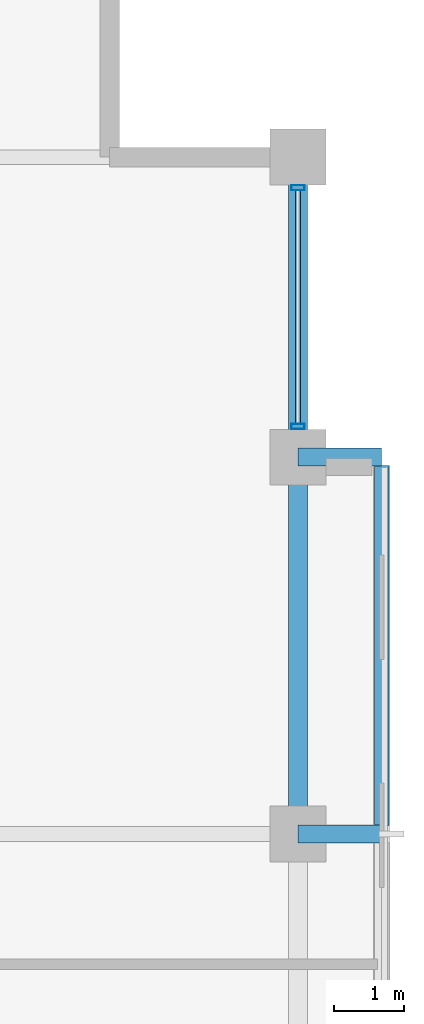
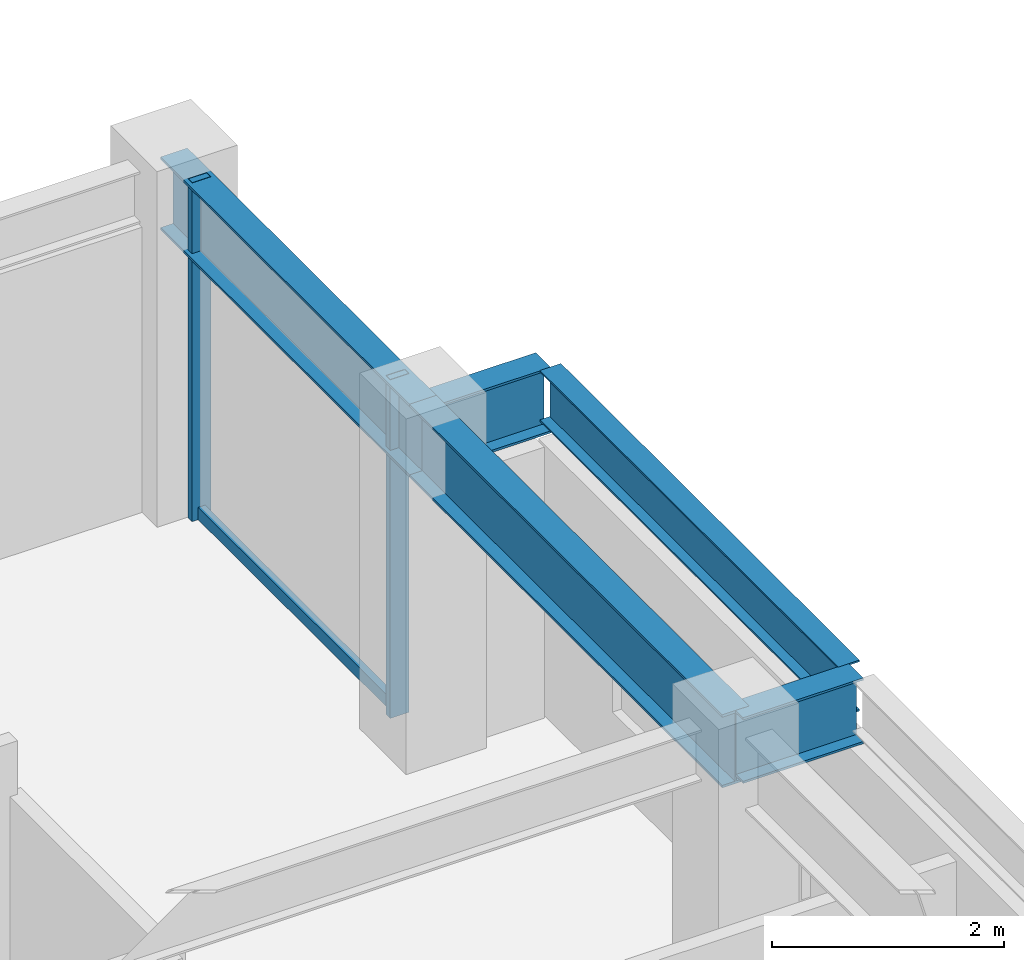
# One storey, part 22 of 30: 5 beams, 3 members, 1 element without a shape of its own.
"""IFC4 building model written with IfcOpenShell, lengths in metres."""

from ifc_helpers import new_model, si_unit, direction, frame, origin, origin_2d, place, context, subcontext, project, spatial, hollow_rectangle, i_section, extrude, material, layer, layer_set, material_profile, profile_set, type_object, element, aggregate, save


model = new_model("IFC4")

# Units and contexts
model_context = context("Model", 3, precision=1e-05, world=origin(), true_north=direction((0.0, 1.0)))
body_context = subcontext(model_context, "Body", "Model", "MODEL_VIEW")
ifc_project = project(units=[si_unit("LENGTHUNIT", "METRE"), si_unit("AREAUNIT", "SQUARE_METRE"), si_unit("VOLUMEUNIT", "CUBIC_METRE"), si_unit("PLANEANGLEUNIT", "RADIAN"), si_unit("MASSUNIT", "GRAM", prefix="KILO")], contexts=[model_context])

# Site, building, storey
site_placement = place(None, origin())
site = spatial("IfcSite", under=ifc_project, at=site_placement, CompositionType="ELEMENT")
building_placement = place(site_placement, origin())
building = spatial("IfcBuilding", under=site, at=building_placement, Name="Surkhivell Harbour Commons", CompositionType="ELEMENT")
storey_placement = place(building_placement, frame((0.0, 0.0, 227.25)))
storey = spatial("IfcBuildingStorey", under=building, at=storey_placement, Name="L59", CompositionType="ELEMENT", Elevation=227.25)

# Beams
ifc_material_1 = material(Name="Steel S460", Category="steel")
ifc_material_profile_1 = material_profile(ifc_material_1, i_section(OverallWidth=0.256103515625, OverallDepth=0.693115234375, WebThickness=0.014404296875, FlangeThickness=0.023681640625, at=origin_2d()), Name="UB686x254x170")
ifc_profile_set_1 = profile_set([ifc_material_profile_1], Name="Steel S460")
beam_type_1 = type_object("IfcBeamType", Name="BM-CNT-686", PredefinedType="BEAM", material=ifc_profile_set_1)
for number, where, z_axis, x_axis, name in (
    (1, (21.60009765625, 10.800048828125, 3.223388671875), (1.0, 0.0, 0.0), (0.0, 1.0, 0.0), "L59 Box Cantilever Outrigger (21.6,10.8)"),
    (2, (21.60009765625, 16.199951171875, 3.223388671875), (1.0, 0.0, 0.0), (0.0, 1.0, 0.0), "L59 Box Cantilever Outrigger (21.6,16.2)"),
):
    element("IfcBeam", number, at=place(storey_placement, frame(where, z_axis=z_axis, x_axis=x_axis)), inside=storey, type_object=beam_type_1, Name=name, PredefinedType="BEAM", context=body_context, shape_type="SweptSolid", body=[
        extrude(i_section(OverallWidth=0.256103515625, OverallDepth=0.693115234375, WebThickness=0.014404296875, FlangeThickness=0.023681640625, at=origin_2d()), origin(), (0.0, 0.0, 1.0), 1.199951171875),
    ])
ifc_material_2 = material(Name="Steel S355", Category="steel")
ifc_material_profile_2 = material_profile(ifc_material_2, i_section(OverallWidth=0.2099609375, OverallDepth=0.537109375, WebThickness=0.0107421875, FlangeThickness=0.017333984375, at=origin_2d()), Name="UB533x210x101")
ifc_profile_set_2 = profile_set([ifc_material_profile_2], Name="Steel S355")
beam_type_2 = type_object("IfcBeamType", Name="BM-GRD-533B", PredefinedType="BEAM", material=ifc_profile_set_2)
beam_1_placement = place(storey_placement, frame((22.800048828125, 10.922119140625, 3.301513671875), z_axis=(0.0, 1.0, 0.0), x_axis=(-1.0, 0.0, 0.0)))
element("IfcBeam", 3, at=beam_1_placement, inside=storey, type_object=beam_type_2, Name="L59 Box Rim Spandrel (22.8,10.8)", PredefinedType="BEAM", context=body_context, shape_type="SweptSolid", body=[
    extrude(i_section(OverallWidth=0.2099609375, OverallDepth=0.537109375, WebThickness=0.0107421875, FlangeThickness=0.017333984375, at=origin_2d()), origin(), (0.0, 0.0, 1.0), 5.15576171875),
])
ifc_material_profile_3 = material_profile(ifc_material_2, i_section(OverallWidth=0.26806640625, OverallDepth=0.77001953125, WebThickness=0.015625, FlangeThickness=0.025390625, at=origin_2d()), Name="UB762x267x197")
ifc_profile_set_3 = profile_set([ifc_material_profile_3], Name="Steel S355")
beam_type_3 = type_object("IfcBeamType", Name="BM-SPN-762", PredefinedType="SPANDREL", material=ifc_profile_set_3)
beam_2_placement = place(storey_placement, frame((21.60009765625, 10.800048828125, 3.18505859375), z_axis=(0.0, 1.0, 0.0), x_axis=(-1.0, 0.0, 0.0)))
element("IfcBeam", 4, at=beam_2_placement, inside=storey, type_object=beam_type_3, Name="L59 Tube Spandrel (21.6,10.8)", PredefinedType="SPANDREL", context=body_context, shape_type="SweptSolid", body=[
    extrude(i_section(OverallWidth=0.26806640625, OverallDepth=0.77001953125, WebThickness=0.015625, FlangeThickness=0.025390625, at=origin_2d()), origin(), (0.0, 0.0, 1.0), 5.39990234375),
])
beam_3_placement = place(storey_placement, frame((21.60009765625, 16.199951171875, 3.18505859375), z_axis=(0.0, 1.0, 0.0), x_axis=(-1.0, 0.0, 0.0)))
element("IfcBeam", 5, at=beam_3_placement, inside=storey, type_object=beam_type_3, Name="L59 Tube Spandrel (21.6,16.2)", PredefinedType="SPANDREL", context=body_context, shape_type="SweptSolid", body=[
    extrude(i_section(OverallWidth=0.26806640625, OverallDepth=0.77001953125, WebThickness=0.015625, FlangeThickness=0.025390625, at=origin_2d()), origin(), (0.0, 0.0, 1.0), 4.300048828125),
])

# Curtain wall, members
ifc_material_3 = material(Name="Anodised pale-metal aluminium and insulated glazing", Category="aluminium")
ifc_layer = layer(ifc_material_3, 0.18994140625)
ifc_layer_set = layer_set([ifc_layer], Name="Anodised pale-metal aluminium and insulated glazing")
curtain_wall_type = type_object("IfcCurtainWallType", Name="CW-SYS-Z3", PredefinedType="NOTDEFINED", material=ifc_layer_set)
curtain_wall_placement = place(storey_placement, origin())
curtain_wall = element("IfcCurtainWall", 6, at=curtain_wall_placement, inside=storey, type_object=curtain_wall_type, Name="L59 Curtain Wall CW-L59-E02R2", PredefinedType="NOTDEFINED")
ifc_material_4 = material(Name="Anodised pale-metal aluminium alloy 6063-T6", Category="aluminium")
ifc_material_profile_4 = material_profile(ifc_material_4, hollow_rectangle(XDim=0.074951171875, YDim=0.18994140625, WallThickness=0.00390625, at=origin_2d()), Name="ALU-MULL-75x190")
ifc_profile_set_4 = profile_set([ifc_material_profile_4], Name="Anodised pale-metal aluminium alloy 6063-T6")
member_type_1 = type_object("IfcMemberType", Name="CWM-190", PredefinedType="MULLION", material=ifc_profile_set_4)
member_1_placement = place(storey_placement, frame((21.60009765625, 16.639404296875, 0.0), z_axis=(0.0, 0.0, 1.0), x_axis=(0.0, 1.0, 0.0)))
member_1 = element("IfcMember", 7, at=member_1_placement, type_object=member_type_1, Name="CW-Z3 mullion 1", PredefinedType="MULLION", context=body_context, shape_type="SweptSolid", body=[
    extrude(hollow_rectangle(XDim=0.074951171875, YDim=0.18994140625, WallThickness=0.00390625, at=origin_2d()), origin(), (0.0, 0.0, 1.0), 3.570068359375),
])
member_2_placement = place(storey_placement, frame((21.60009765625, 20.060546875, 0.0), z_axis=(0.0, 0.0, 1.0), x_axis=(0.0, 1.0, 0.0)))
member_2 = element("IfcMember", 8, at=member_2_placement, type_object=member_type_1, Name="CW-Z3 mullion 2", PredefinedType="MULLION", context=body_context, shape_type="SweptSolid", body=[
    extrude(hollow_rectangle(XDim=0.074951171875, YDim=0.18994140625, WallThickness=0.00390625, at=origin_2d()), origin(), (0.0, 0.0, 1.0), 3.570068359375),
])
ifc_material_5 = material(Name="Champagne anodised aluminium alloy 6063-T6", Category="aluminium")
ifc_material_profile_5 = material_profile(ifc_material_5, hollow_rectangle(XDim=0.070068359375, YDim=0.1298828125, WallThickness=0.00341796875, at=origin_2d()), Name="ALU-TRAN-70x130")
ifc_profile_set_5 = profile_set([ifc_material_profile_5], Name="Champagne anodised aluminium alloy 6063-T6")
member_type_2 = type_object("IfcMemberType", Name="CWT-130", PredefinedType="USERDEFINED", material=ifc_profile_set_5)
member_3_placement = place(storey_placement, frame((21.60009765625, 16.677001953125, 0.06494140625), z_axis=(0.0, 1.0, 0.0), x_axis=(-1.0, 0.0, 0.0)))
member_3 = element("IfcMember", 9, at=member_3_placement, type_object=member_type_2, Name="CW-Z3 transom 1.1", ObjectType="TRANSOM", PredefinedType="USERDEFINED", context=body_context, shape_type="SweptSolid", body=[
    extrude(hollow_rectangle(XDim=0.070068359375, YDim=0.1298828125, WallThickness=0.00341796875, at=origin_2d()), origin(), (0.0, 0.0, 1.0), 3.345947265625),
])
aggregate(curtain_wall, [member_1, member_2, member_3])

save(model, "model.ifc")
